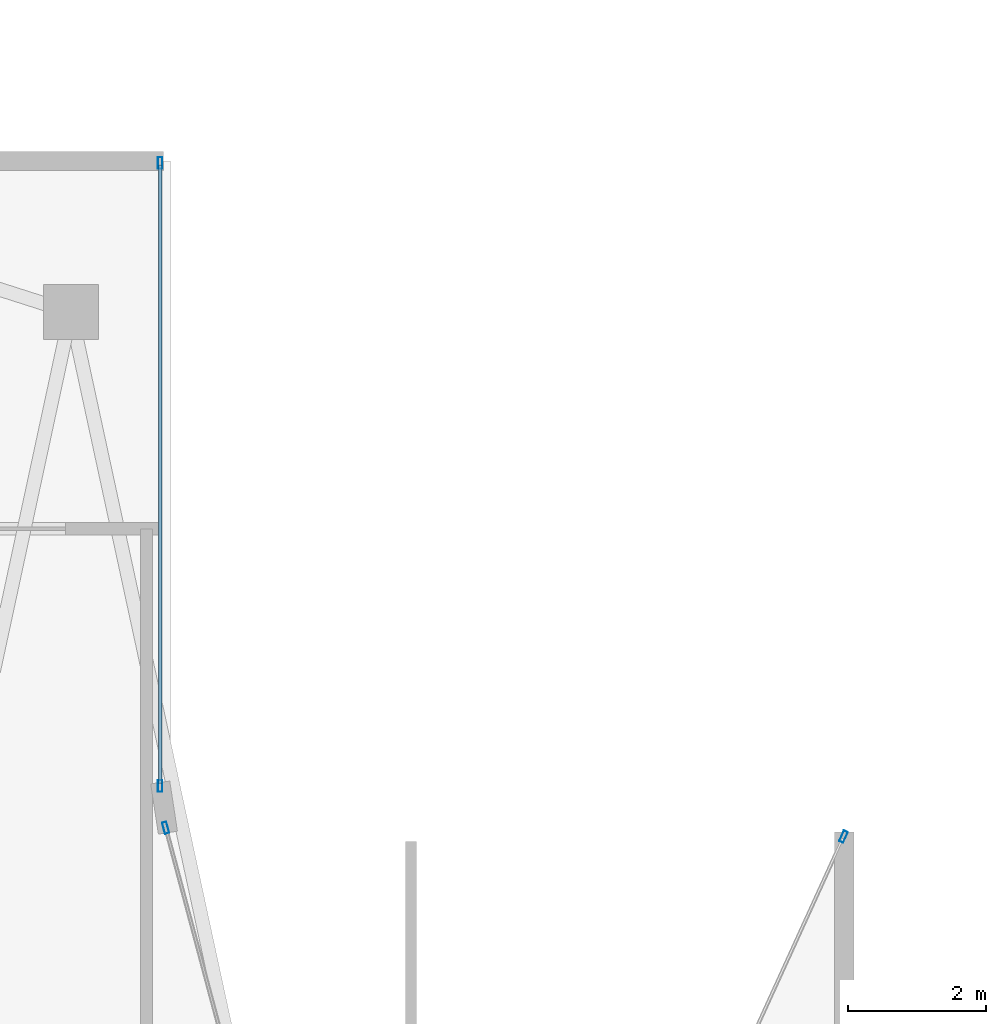
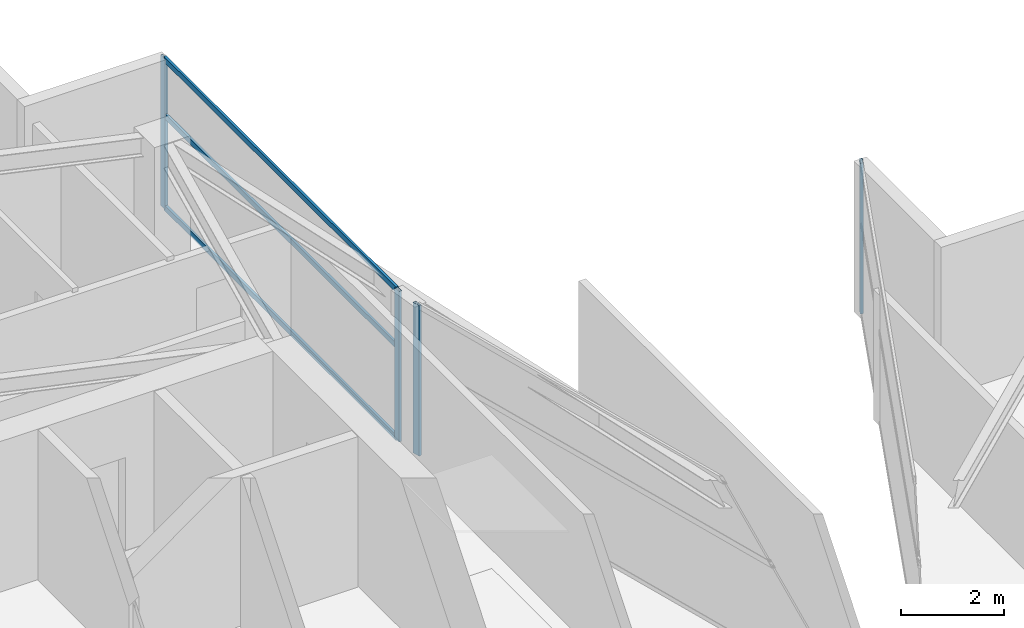
# One storey, part 19 of 27: 7 members, 3 elements without a shape of their own.
"""IFC4 building model written with IfcOpenShell, lengths in metres."""

from ifc_helpers import new_model, si_unit, direction, frame, origin, origin_2d, place, context, subcontext, project, spatial, hollow_rectangle, extrude, material, layer, layer_set, material_profile, profile_set, type_object, element, aggregate, save


model = new_model("IFC4")

# Units and contexts
model_context = context("Model", 3, precision=1e-05, world=origin(), true_north=direction((0.0, 1.0)))
body_context = subcontext(model_context, "Body", "Model", "MODEL_VIEW")
ifc_project = project(units=[si_unit("LENGTHUNIT", "METRE"), si_unit("AREAUNIT", "SQUARE_METRE"), si_unit("VOLUMEUNIT", "CUBIC_METRE"), si_unit("PLANEANGLEUNIT", "RADIAN"), si_unit("MASSUNIT", "GRAM", prefix="KILO")], contexts=[model_context])

# Site, building, storey
site_placement = place(None, origin())
site = spatial("IfcSite", under=ifc_project, at=site_placement, CompositionType="ELEMENT")
building_placement = place(site_placement, origin())
building = spatial("IfcBuilding", under=site, at=building_placement, Name="Calvorn Quay Hotel", CompositionType="ELEMENT")
storey_placement = place(building_placement, frame((0.0, 0.0, 291.10009765625)))
storey = spatial("IfcBuildingStorey", under=building, at=storey_placement, Name="L72", CompositionType="ELEMENT", Elevation=291.10009765625)

# Curtain wall, member
ifc_material_1 = material(Name="Champagne Bronze Anodised Aluminium and Low-E Glass", Category="aluminium")
ifc_layer = layer(ifc_material_1, 0.219970703125)
ifc_layer_set = layer_set([ifc_layer], Name="CW-SYS-Z4")
curtain_wall_type = type_object("IfcCurtainWallType", Name="CW-SYS-Z4", PredefinedType="NOTDEFINED", material=ifc_layer_set)
curtain_wall_1_placement = place(storey_placement, origin())
curtain_wall_1 = element("IfcCurtainWall", 1, at=curtain_wall_1_placement, inside=storey, type_object=curtain_wall_type, Name="Inner Court Curtain Wall L72-NE1", PredefinedType="NOTDEFINED")
ifc_material_2 = material(Name="Champagne Bronze Anodised Aluminium 6063-T6", Category="aluminium")
ifc_material_profile_1 = material_profile(ifc_material_2, hollow_rectangle(XDim=0.06494140625, YDim=0.169921875, WallThickness=0.00341796875, at=origin_2d()), Name="ALU-M170x65x3.5")
ifc_profile_set_1 = profile_set([ifc_material_profile_1], Name="Champagne Bronze Anodised Aluminium 6063-T6")
member_type_1 = type_object("IfcMemberType", Name="CW-SYS-Z4-MUL", PredefinedType="MULLION", material=ifc_profile_set_1)
member_1_placement = place(storey_placement, frame((27.78759765625, 37.97265625, 0.0), z_axis=(0.0, 0.0, 1.0), x_axis=(0.909907665981, -0.414810847724, 0.0)))
member_1 = element("IfcMember", 2, at=member_1_placement, type_object=member_type_1, Name="CW-L72-NE1 mullion 1", PredefinedType="MULLION", context=body_context, shape_type="SweptSolid", body=[
    extrude(hollow_rectangle(XDim=0.06494140625, YDim=0.169921875, WallThickness=0.00341796875, at=origin_2d()), origin(), (0.0, 0.0, 1.0), 3.559814453125),
])
aggregate(curtain_wall_1, [member_1])

curtain_wall_2_placement = place(storey_placement, origin())
curtain_wall_2 = element("IfcCurtainWall", 3, at=curtain_wall_2_placement, inside=storey, type_object=curtain_wall_type, Name="Inner Court Curtain Wall L72-IC1", PredefinedType="NOTDEFINED")
member_2_placement = place(storey_placement, frame((17.9296875, 38.10107421875, 0.0), z_axis=(0.0, 0.0, 1.0), x_axis=(-0.96593652056, -0.25877913024, 0.0)))
member_2 = element("IfcMember", 4, at=member_2_placement, type_object=member_type_1, Name="CW-L72-IC1 mullion 2", PredefinedType="MULLION", context=body_context, shape_type="SweptSolid", body=[
    extrude(hollow_rectangle(XDim=0.06494140625, YDim=0.169921875, WallThickness=0.00341796875, at=origin_2d()), origin(), (0.0, 0.0, 1.0), 3.559814453125),
])
aggregate(curtain_wall_2, [member_2])

# Curtain wall, members
curtain_wall_3_placement = place(storey_placement, origin())
curtain_wall_3 = element("IfcCurtainWall", 5, at=curtain_wall_3_placement, inside=storey, type_object=curtain_wall_type, Name="Inner Court Curtain Wall L72-IC2", PredefinedType="NOTDEFINED")
member_3_placement = place(storey_placement, frame((17.85009765625, 38.7099609375, 0.0), z_axis=(0.0, 0.0, 1.0), x_axis=(-1.0, 0.0, 0.0)))
member_3 = element("IfcMember", 6, at=member_3_placement, type_object=member_type_1, Name="CW-L72-IC2 mullion 1", PredefinedType="MULLION", context=body_context, shape_type="SweptSolid", body=[
    extrude(hollow_rectangle(XDim=0.06494140625, YDim=0.169921875, WallThickness=0.00341796875, at=origin_2d()), origin(), (0.0, 0.0, 1.0), 3.559814453125),
])
member_4_placement = place(storey_placement, frame((17.85009765625, 47.77001953125, 0.0), z_axis=(0.0, 0.0, 1.0), x_axis=(-1.0, 0.0, 0.0)))
member_4 = element("IfcMember", 7, at=member_4_placement, type_object=member_type_1, Name="CW-L72-IC2 mullion 2", PredefinedType="MULLION", context=body_context, shape_type="SweptSolid", body=[
    extrude(hollow_rectangle(XDim=0.06494140625, YDim=0.169921875, WallThickness=0.00341796875, at=origin_2d()), origin(), (0.0, 0.0, 1.0), 3.559814453125),
])
ifc_material_3 = material(Name="Champagne Bronze Anodised Aluminium 6063-T6", Category="aluminium")
ifc_material_profile_2 = material_profile(ifc_material_3, hollow_rectangle(XDim=0.054931640625, YDim=0.1298828125, WallThickness=0.003173828125, at=origin_2d()), Name="ALU-T130x55x3.2")
ifc_profile_set_2 = profile_set([ifc_material_profile_2], Name="Champagne Bronze Anodised Aluminium 6063-T6")
member_type_2 = type_object("IfcMemberType", Name="CW-SYS-Z4-TRN", PredefinedType="USERDEFINED", material=ifc_profile_set_2)
member_5_placement = place(storey_placement, frame((17.85009765625, 38.739990234375, 0.02978515625), z_axis=(0.0, 1.0, 0.0), x_axis=(-1.0, 0.0, 0.0)))
member_5 = element("IfcMember", 8, at=member_5_placement, type_object=member_type_2, Name="CW-L72-IC2 transom 1.1", ObjectType="TRANSOM", PredefinedType="USERDEFINED", context=body_context, shape_type="SweptSolid", body=[
    extrude(hollow_rectangle(XDim=0.054931640625, YDim=0.1298828125, WallThickness=0.003173828125, at=origin_2d()), origin(), (0.0, 0.0, 1.0), 9.0),
])
member_6_placement = place(storey_placement, frame((17.85009765625, 38.739990234375, 2.199951171875), z_axis=(0.0, 1.0, 0.0), x_axis=(-1.0, 0.0, 0.0)))
member_6 = element("IfcMember", 9, at=member_6_placement, type_object=member_type_2, Name="CW-L72-IC2 transom 1.2", ObjectType="TRANSOM", PredefinedType="USERDEFINED", context=body_context, shape_type="SweptSolid", body=[
    extrude(hollow_rectangle(XDim=0.054931640625, YDim=0.1298828125, WallThickness=0.003173828125, at=origin_2d()), origin(), (0.0, 0.0, 1.0), 9.0),
])
member_7_placement = place(storey_placement, frame((17.85009765625, 38.739990234375, 3.52978515625), z_axis=(0.0, 1.0, 0.0), x_axis=(-1.0, 0.0, 0.0)))
member_7 = element("IfcMember", 10, at=member_7_placement, type_object=member_type_2, Name="CW-L72-IC2 transom 1.3", ObjectType="TRANSOM", PredefinedType="USERDEFINED", context=body_context, shape_type="SweptSolid", body=[
    extrude(hollow_rectangle(XDim=0.054931640625, YDim=0.1298828125, WallThickness=0.003173828125, at=origin_2d()), origin(), (0.0, 0.0, 1.0), 9.0),
])
aggregate(curtain_wall_3, [member_3, member_4, member_5, member_6, member_7])

save(model, "model.ifc")
